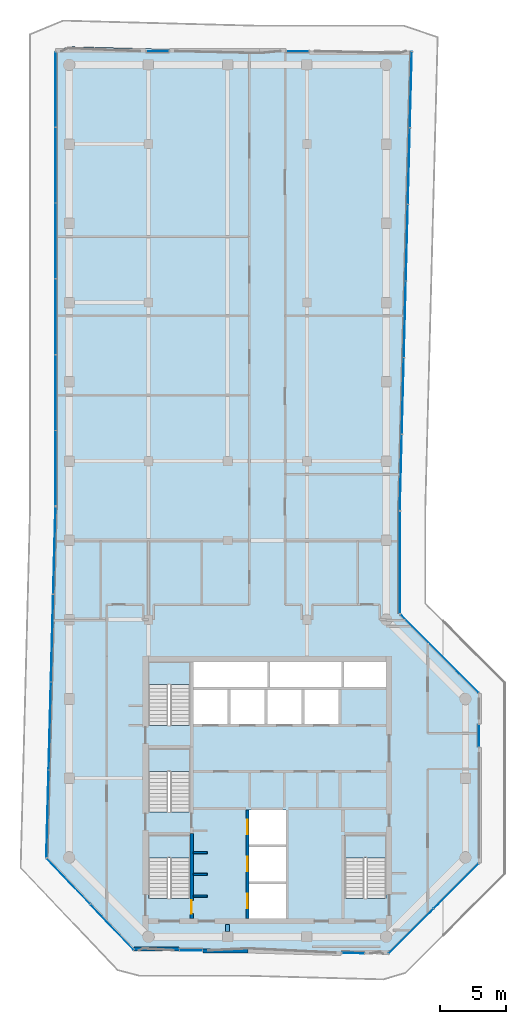
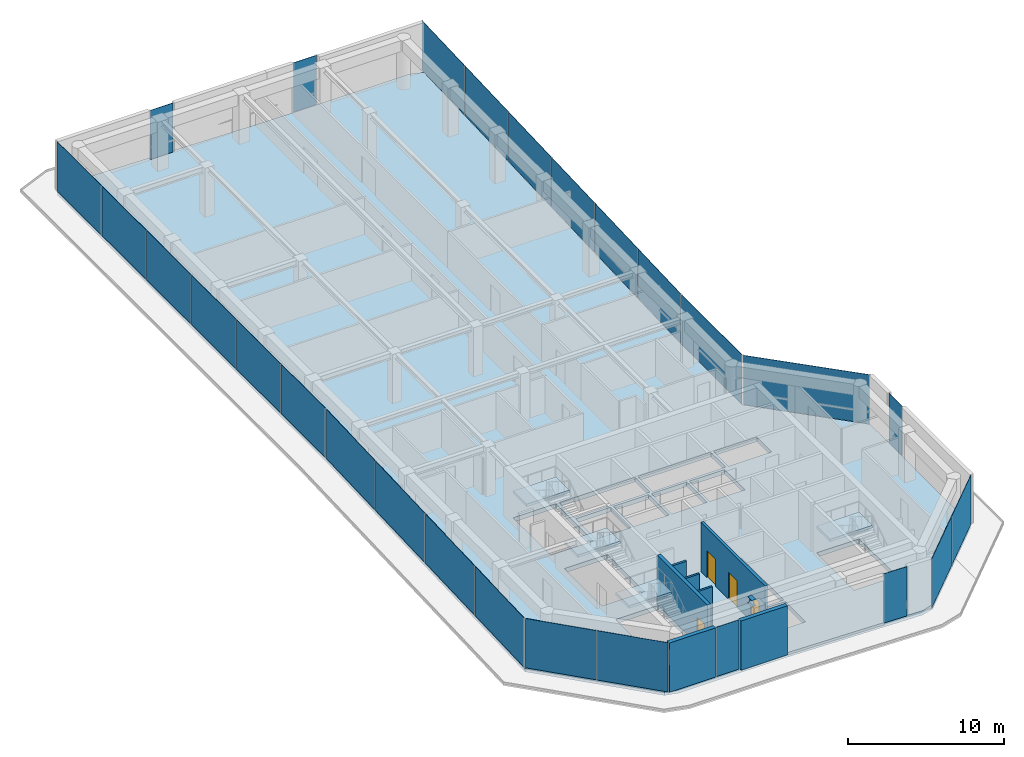
# One storey, part 14 of 19: 27 plates, 7 walls, 5 slabs, 4 doors, 1 beam, 4 openings, 16 elements without a shape of their own.
"""IFC4 building model written with IfcOpenShell, lengths in metres."""

from ifc_helpers import new_model, si_unit, direction, frame, frame_2d, origin, origin_2d, place, context, subcontext, project, spatial, polyline, rectangle, i_section, outline, extrude, material, layer, layer_set, material_profile, profile_set, type_object, element, fill, aggregate, save


model = new_model("IFC4")

# Units and contexts
model_context = context("Model", 3, precision=1e-05, world=origin(), true_north=direction((0.0, 1.0)))
body_context = subcontext(model_context, "Body", "Model", "MODEL_VIEW")
ifc_project = project(units=[si_unit("LENGTHUNIT", "METRE"), si_unit("AREAUNIT", "SQUARE_METRE"), si_unit("VOLUMEUNIT", "CUBIC_METRE"), si_unit("PLANEANGLEUNIT", "RADIAN"), si_unit("MASSUNIT", "GRAM", prefix="KILO")], contexts=[model_context])

# Site, building, storey
site_placement = place(None, origin())
site = spatial("IfcSite", under=ifc_project, at=site_placement, CompositionType="ELEMENT")
building_placement = place(site_placement, origin())
building = spatial("IfcBuilding", under=site, at=building_placement, Name="Welwitschia Terrace Campus", CompositionType="ELEMENT")
storey_placement = place(building_placement, frame((0.0, 0.0, 234.800048828125)))
storey = spatial("IfcBuildingStorey", under=building, at=storey_placement, Name="L52", CompositionType="ELEMENT", Elevation=234.800048828125)

# Beam
ifc_material_1 = material(Name="Steel S355", Category="steel")
ifc_material_profile = material_profile(ifc_material_1, i_section(OverallWidth=0.300048828125, OverallDepth=0.489990234375, WebThickness=0.011962890625, FlangeThickness=0.02294921875, FilletRadius=0.027099609375, at=origin_2d()))
ifc_profile_set = profile_set([ifc_material_profile], Name="Steel S355")
beam_type = type_object("IfcBeamType", Name="Primary beam HE 500 A", PredefinedType="BEAM", material=ifc_profile_set)
beam_placement = place(storey_placement, frame((12.0, 4.400390625, 3.60498046875), z_axis=(0.0, 1.0, 0.0), x_axis=(-1.0, 0.0, 0.0)))
element("IfcBeam", 1, at=beam_placement, inside=storey, type_object=beam_type, Name="Primary beam PB5", PredefinedType="BEAM", context=body_context, shape_type="SweptSolid", body=[
    extrude(i_section(OverallWidth=0.300048828125, OverallDepth=0.489990234375, WebThickness=0.011962890625, FlangeThickness=0.02294921875, FilletRadius=0.027099609375, at=origin_2d()), origin(), (0.0, 0.0, 1.0), 0.549560546875),
])

# Curtain wall, plates
ifc_material_2 = material(Name="Bronze anodised aluminium", Category="aluminium")
ifc_layer_1 = layer(ifc_material_2, 0.1201171875)
ifc_layer_set_1 = layer_set([ifc_layer_1], Name="Bronze anodised aluminium")
curtain_wall_type = type_object("IfcCurtainWallType", Name="Curtain wall CW2 tower 6000", PredefinedType="NOTDEFINED", material=ifc_layer_set_1)
curtain_wall_1_placement = place(storey_placement, origin())
curtain_wall_1 = element("IfcCurtainWall", 2, at=curtain_wall_1_placement, inside=storey, type_object=curtain_wall_type, Name="CW L52.0.0", PredefinedType="NOTDEFINED")
ifc_material_3 = material(Name="Tinted bronze-grey glass", Category="glass")
ifc_layer_2 = layer(ifc_material_3, 0.028076171875)
ifc_layer_set_2 = layer_set([ifc_layer_2], Name="Tinted bronze-grey glass")
plate_type = type_object("IfcPlateType", Name="Glass panel 28 tinted", PredefinedType="CURTAIN_PANEL", material=ifc_layer_set_2)
plate_1_placement = place(storey_placement, frame((-1.030029296875, 68.13525390625, 0.0), z_axis=(0.0, 0.0, 1.0), x_axis=(0.0, -1.0, 0.0)))
plate_1 = element("IfcPlate", 3, at=plate_1_placement, type_object=plate_type, Name="Panel L52.0.0.0", PredefinedType="CURTAIN_PANEL", context=body_context, shape_type="SweptSolid", body=[
    extrude(rectangle(XDim=5.649169921875, YDim=0.028076171875, at=origin_2d()), origin(), (0.0, 0.0, 1.0), 3.85009765625),
])
plate_2_placement = place(storey_placement, frame((-1.030029296875, 62.4111328125, 0.0), z_axis=(0.0, 0.0, 1.0), x_axis=(0.0, -1.0, 0.0)))
plate_2 = element("IfcPlate", 4, at=plate_2_placement, type_object=plate_type, Name="Panel L52.0.0.1", PredefinedType="CURTAIN_PANEL", context=body_context, shape_type="SweptSolid", body=[
    extrude(rectangle(XDim=5.67919921875, YDim=0.028076171875, at=origin_2d()), origin(), (0.0, 0.0, 1.0), 3.85009765625),
])
plate_3_placement = place(storey_placement, frame((-1.030029296875, 56.671875, 0.0), z_axis=(0.0, 0.0, 1.0), x_axis=(0.0, -1.0, 0.0)))
plate_3 = element("IfcPlate", 5, at=plate_3_placement, type_object=plate_type, Name="Panel L52.0.0.2", PredefinedType="CURTAIN_PANEL", context=body_context, shape_type="SweptSolid", body=[
    extrude(rectangle(XDim=5.67919921875, YDim=0.028076171875, at=origin_2d()), origin(), (0.0, 0.0, 1.0), 3.85009765625),
])
plate_4_placement = place(storey_placement, frame((-1.030029296875, 50.9326171875, 0.0), z_axis=(0.0, 0.0, 1.0), x_axis=(0.0, -1.0, 0.0)))
plate_4 = element("IfcPlate", 6, at=plate_4_placement, type_object=plate_type, Name="Panel L52.0.0.3", PredefinedType="CURTAIN_PANEL", context=body_context, shape_type="SweptSolid", body=[
    extrude(rectangle(XDim=5.67919921875, YDim=0.028076171875, at=origin_2d()), origin(), (0.0, 0.0, 1.0), 3.85009765625),
])
plate_5_placement = place(storey_placement, frame((-1.030029296875, 45.193359375, 0.0), z_axis=(0.0, 0.0, 1.0), x_axis=(0.0, -1.0, 0.0)))
plate_5 = element("IfcPlate", 7, at=plate_5_placement, type_object=plate_type, Name="Panel L52.0.0.4", PredefinedType="CURTAIN_PANEL", context=body_context, shape_type="SweptSolid", body=[
    extrude(rectangle(XDim=5.67919921875, YDim=0.028076171875, at=origin_2d()), origin(), (0.0, 0.0, 1.0), 3.85009765625),
])
plate_6_placement = place(storey_placement, frame((-1.030029296875, 39.46923828125, 0.0), z_axis=(0.0, 0.0, 1.0), x_axis=(0.0, -1.0, 0.0)))
plate_6 = element("IfcPlate", 8, at=plate_6_placement, type_object=plate_type, Name="Panel L52.0.0.5", PredefinedType="CURTAIN_PANEL", context=body_context, shape_type="SweptSolid", body=[
    extrude(rectangle(XDim=5.649169921875, YDim=0.028076171875, at=origin_2d()), origin(), (0.0, 0.0, 1.0), 3.85009765625),
])
aggregate(curtain_wall_1, [plate_1, plate_2, plate_3, plate_4, plate_5, plate_6])

curtain_wall_2_placement = place(storey_placement, origin())
curtain_wall_2 = element("IfcCurtainWall", 9, at=curtain_wall_2_placement, inside=storey, type_object=curtain_wall_type, Name="CW L52.1.0", PredefinedType="NOTDEFINED")
plate_7_placement = place(storey_placement, frame((-1.117431640625, 33.243408203125, 0.0), z_axis=(0.0, 0.0, 1.0), x_axis=(-0.026176948308, -0.999657324976, 0.0)))
plate_7 = element("IfcPlate", 10, at=plate_7_placement, type_object=plate_type, Name="Panel L52.1.0.0", PredefinedType="CURTAIN_PANEL", context=body_context, shape_type="SweptSolid", body=[
    extrude(rectangle(XDim=6.564697265625, YDim=0.028076171875, at=origin_2d()), origin(), (0.0, 0.0, 1.0), 3.85009765625),
])
plate_8_placement = place(storey_placement, frame((-1.291259765625, 26.60595703125, 0.0), z_axis=(0.0, 0.0, 1.0), x_axis=(-0.026176948308, -0.999657324976, 0.0)))
plate_8 = element("IfcPlate", 11, at=plate_8_placement, type_object=plate_type, Name="Panel L52.1.0.1", PredefinedType="CURTAIN_PANEL", context=body_context, shape_type="SweptSolid", body=[
    extrude(rectangle(XDim=6.594482421875, YDim=0.028076171875, at=origin_2d()), origin(), (0.0, 0.0, 1.0), 3.85009765625),
])
plate_9_placement = place(storey_placement, frame((-1.465576171875, 19.953857421875, 0.0), z_axis=(0.0, 0.0, 1.0), x_axis=(-0.026176948308, -0.999657324976, 0.0)))
plate_9 = element("IfcPlate", 12, at=plate_9_placement, type_object=plate_type, Name="Panel L52.1.0.2", PredefinedType="CURTAIN_PANEL", context=body_context, shape_type="SweptSolid", body=[
    extrude(rectangle(XDim=6.594482421875, YDim=0.028076171875, at=origin_2d()), origin(), (0.0, 0.0, 1.0), 3.85009765625),
])
plate_10_placement = place(storey_placement, frame((-1.639404296875, 13.31640625, 0.0), z_axis=(0.0, 0.0, 1.0), x_axis=(-0.026176948308, -0.999657324976, 0.0)))
plate_10 = element("IfcPlate", 13, at=plate_10_placement, type_object=plate_type, Name="Panel L52.1.0.3", PredefinedType="CURTAIN_PANEL", context=body_context, shape_type="SweptSolid", body=[
    extrude(rectangle(XDim=6.564697265625, YDim=0.028076171875, at=origin_2d()), origin(), (0.0, 0.0, 1.0), 3.85009765625),
])
aggregate(curtain_wall_2, [plate_7, plate_8, plate_9, plate_10])

curtain_wall_3_placement = place(storey_placement, origin())
curtain_wall_3 = element("IfcCurtainWall", 14, at=curtain_wall_3_placement, inside=storey, type_object=curtain_wall_type, Name="CW L52.2.0", PredefinedType="NOTDEFINED")
plate_11_placement = place(storey_placement, frame((-0.054443359375, 8.213134765625, 0.0), z_axis=(0.0, 0.0, 1.0), x_axis=(0.688354575694, -0.725374371012, 0.0)))
plate_11 = element("IfcPlate", 15, at=plate_11_placement, type_object=plate_type, Name="Panel L52.2.0.0", PredefinedType="CURTAIN_PANEL", context=body_context, shape_type="SweptSolid", body=[
    extrude(rectangle(XDim=4.73876953125, YDim=0.028076171875, at=origin_2d()), origin(), (0.0, 0.0, 1.0), 3.85009765625),
])
plate_12_placement = place(storey_placement, frame((3.248779296875, 4.732177734375, 0.0), z_axis=(0.0, 0.0, 1.0), x_axis=(0.688354575694, -0.725374371012, 0.0)))
plate_12 = element("IfcPlate", 16, at=plate_12_placement, type_object=plate_type, Name="Panel L52.2.0.1", PredefinedType="CURTAIN_PANEL", context=body_context, shape_type="SweptSolid", body=[
    extrude(rectangle(XDim=4.73876953125, YDim=0.028076171875, at=origin_2d()), origin(), (0.0, 0.0, 1.0), 3.85009765625),
])
aggregate(curtain_wall_3, [plate_11, plate_12])

# Curtain wall, plate
curtain_wall_4_placement = place(storey_placement, origin())
curtain_wall_4 = element("IfcCurtainWall", 17, at=curtain_wall_4_placement, inside=storey, type_object=curtain_wall_type, Name="CW L52.3.S0", PredefinedType="NOTDEFINED")
plate_13_placement = place(storey_placement, frame((9.228271484375, 2.969970703125, 0.0), z_axis=(0.0, 0.0, 1.0), x_axis=(1.0, 0.0, 0.0)))
plate_13 = element("IfcPlate", 18, at=plate_13_placement, type_object=plate_type, Name="Panel L52.3.S0.0", PredefinedType="CURTAIN_PANEL", context=body_context, shape_type="SweptSolid", body=[
    extrude(rectangle(XDim=1.679931640625, YDim=0.028076171875, at=origin_2d()), origin(), (0.0, 0.0, 1.0), 3.85009765625),
])
aggregate(curtain_wall_4, [plate_13])

curtain_wall_5_placement = place(storey_placement, origin())
curtain_wall_5 = element("IfcCurtainWall", 19, at=curtain_wall_5_placement, inside=storey, type_object=curtain_wall_type, Name="CW L52.4.S0", PredefinedType="NOTDEFINED")
plate_14_placement = place(storey_placement, frame((21.495361328125, 2.761474609375, 0.0), z_axis=(0.0, 0.0, 1.0), x_axis=(0.999657324976, -0.026176948308, 0.0)))
plate_14 = element("IfcPlate", 20, at=plate_14_placement, type_object=plate_type, Name="Panel L52.4.S0.0", PredefinedType="CURTAIN_PANEL", context=body_context, shape_type="SweptSolid", body=[
    extrude(rectangle(XDim=1.679931640625, YDim=0.028076171875, at=origin_2d()), origin(), (0.0, 0.0, 1.0), 3.85009765625),
])
aggregate(curtain_wall_5, [plate_14])

# Curtain wall, plates
curtain_wall_6_placement = place(storey_placement, origin())
curtain_wall_6 = element("IfcCurtainWall", 21, at=curtain_wall_6_placement, inside=storey, type_object=curtain_wall_type, Name="CW L52.5.0", PredefinedType="NOTDEFINED")
plate_15_placement = place(storey_placement, frame((25.879638671875, 4.423095703125, 0.0), z_axis=(0.0, 0.0, 1.0), x_axis=(0.707106781187, 0.707106781187, 0.0)))
plate_15 = element("IfcPlate", 22, at=plate_15_placement, type_object=plate_type, Name="Panel L52.5.0.0", PredefinedType="CURTAIN_PANEL", context=body_context, shape_type="SweptSolid", body=[
    extrude(rectangle(XDim=4.77587890625, YDim=0.028076171875, at=origin_2d()), origin(), (0.0, 0.0, 1.0), 3.85009765625),
])
plate_16_placement = place(storey_placement, frame((29.299072265625, 7.842529296875, 0.0), z_axis=(0.0, 0.0, 1.0), x_axis=(0.707106781187, 0.707106781187, 0.0)))
plate_16 = element("IfcPlate", 23, at=plate_16_placement, type_object=plate_type, Name="Panel L52.5.0.1", PredefinedType="CURTAIN_PANEL", context=body_context, shape_type="SweptSolid", body=[
    extrude(rectangle(XDim=4.77587890625, YDim=0.028076171875, at=origin_2d()), origin(), (0.0, 0.0, 1.0), 3.85009765625),
])
aggregate(curtain_wall_6, [plate_15, plate_16])

# Curtain wall, plate
curtain_wall_7_placement = place(storey_placement, origin())
curtain_wall_7 = element("IfcCurtainWall", 24, at=curtain_wall_7_placement, inside=storey, type_object=curtain_wall_type, Name="CW L52.6.S0", PredefinedType="NOTDEFINED")
plate_17_placement = place(storey_placement, frame((31.030029296875, 19.21337890625, 0.0), z_axis=(0.0, 0.0, 1.0), x_axis=(0.0, 1.0, 0.0)))
plate_17 = element("IfcPlate", 25, at=plate_17_placement, type_object=plate_type, Name="Panel L52.6.S0.0", PredefinedType="CURTAIN_PANEL", context=body_context, shape_type="SweptSolid", body=[
    extrude(rectangle(XDim=1.679931640625, YDim=0.028076171875, at=origin_2d()), origin(), (0.0, 0.0, 1.0), 3.85009765625),
])
aggregate(curtain_wall_7, [plate_17])

curtain_wall_8_placement = place(storey_placement, origin())
curtain_wall_8 = element("IfcCurtainWall", 26, at=curtain_wall_8_placement, inside=storey, type_object=curtain_wall_type, Name="CW L52.7.0", PredefinedType="NOTDEFINED")
plate_18_placement = place(storey_placement, frame((28.030029296875, 25.4267578125, 0.0), z_axis=(0.0, 0.0, 1.0), x_axis=(-0.707106781187, 0.707106781187, 0.0)))
plate_18 = element("IfcPlate", 27, at=plate_18_placement, type_object=plate_type, Name="Panel L52.7.0.0", PredefinedType="CURTAIN_PANEL", context=body_context, shape_type="SweptSolid", body=[
    extrude(rectangle(XDim=8.365234375, YDim=0.028076171875, at=origin_2d()), origin(), (0.0, 0.0, 1.0), 3.85009765625),
])
aggregate(curtain_wall_8, [plate_18])

curtain_wall_9_placement = place(storey_placement, origin())
curtain_wall_9 = element("IfcCurtainWall", 28, at=curtain_wall_9_placement, inside=storey, type_object=curtain_wall_type, Name="CW L52.8.0", PredefinedType="NOTDEFINED")
plate_19_placement = place(storey_placement, frame((25.030029296875, 32.3349609375, 0.0), z_axis=(0.0, 0.0, 1.0), x_axis=(0.0, 1.0, 0.0)))
plate_19 = element("IfcPlate", 29, at=plate_19_placement, type_object=plate_type, Name="Panel L52.8.0.0", PredefinedType="CURTAIN_PANEL", context=body_context, shape_type="SweptSolid", body=[
    extrude(rectangle(XDim=7.69677734375, YDim=0.028076171875, at=origin_2d()), origin(), (0.0, 0.0, 1.0), 3.85009765625),
])
aggregate(curtain_wall_9, [plate_19])

# Curtain wall, plates
curtain_wall_10_placement = place(storey_placement, origin())
curtain_wall_10 = element("IfcCurtainWall", 30, at=curtain_wall_10_placement, inside=storey, type_object=curtain_wall_type, Name="CW L52.9.0", PredefinedType="NOTDEFINED")
plate_20_placement = place(storey_placement, frame((25.106201171875, 39.1572265625, 0.0), z_axis=(0.0, 0.0, 1.0), x_axis=(0.026176948308, 0.999657324976, 0.0)))
plate_20 = element("IfcPlate", 31, at=plate_20_placement, type_object=plate_type, Name="Panel L52.9.0.0", PredefinedType="CURTAIN_PANEL", context=body_context, shape_type="SweptSolid", body=[
    extrude(rectangle(XDim=5.709716796875, YDim=0.028076171875, at=origin_2d()), origin(), (0.0, 0.0, 1.0), 3.85009765625),
])
plate_21_placement = place(storey_placement, frame((25.2578125, 44.93994140625, 0.0), z_axis=(0.0, 0.0, 1.0), x_axis=(0.026176948308, 0.999657324976, 0.0)))
plate_21 = element("IfcPlate", 32, at=plate_21_placement, type_object=plate_type, Name="Panel L52.9.0.1", PredefinedType="CURTAIN_PANEL", context=body_context, shape_type="SweptSolid", body=[
    extrude(rectangle(XDim=5.73974609375, YDim=0.028076171875, at=origin_2d()), origin(), (0.0, 0.0, 1.0), 3.85009765625),
])
plate_22_placement = place(storey_placement, frame((25.40966796875, 50.73779296875, 0.0), z_axis=(0.0, 0.0, 1.0), x_axis=(0.026176948308, 0.999657324976, 0.0)))
plate_22 = element("IfcPlate", 33, at=plate_22_placement, type_object=plate_type, Name="Panel L52.9.0.2", PredefinedType="CURTAIN_PANEL", context=body_context, shape_type="SweptSolid", body=[
    extrude(rectangle(XDim=5.73974609375, YDim=0.028076171875, at=origin_2d()), origin(), (0.0, 0.0, 1.0), 3.85009765625),
])
plate_23_placement = place(storey_placement, frame((25.561279296875, 56.53564453125, 0.0), z_axis=(0.0, 0.0, 1.0), x_axis=(0.026176948308, 0.999657324976, 0.0)))
plate_23 = element("IfcPlate", 34, at=plate_23_placement, type_object=plate_type, Name="Panel L52.9.0.3", PredefinedType="CURTAIN_PANEL", context=body_context, shape_type="SweptSolid", body=[
    extrude(rectangle(XDim=5.73974609375, YDim=0.028076171875, at=origin_2d()), origin(), (0.0, 0.0, 1.0), 3.85009765625),
])
plate_24_placement = place(storey_placement, frame((25.713134765625, 62.333251953125, 0.0), z_axis=(0.0, 0.0, 1.0), x_axis=(0.026176948308, 0.999657324976, 0.0)))
plate_24 = element("IfcPlate", 35, at=plate_24_placement, type_object=plate_type, Name="Panel L52.9.0.4", PredefinedType="CURTAIN_PANEL", context=body_context, shape_type="SweptSolid", body=[
    extrude(rectangle(XDim=5.73974609375, YDim=0.028076171875, at=origin_2d()), origin(), (0.0, 0.0, 1.0), 3.85009765625),
])
plate_25_placement = place(storey_placement, frame((25.864501953125, 68.1162109375, 0.0), z_axis=(0.0, 0.0, 1.0), x_axis=(0.026176948308, 0.999657324976, 0.0)))
plate_25 = element("IfcPlate", 36, at=plate_25_placement, type_object=plate_type, Name="Panel L52.9.0.5", PredefinedType="CURTAIN_PANEL", context=body_context, shape_type="SweptSolid", body=[
    extrude(rectangle(XDim=5.709716796875, YDim=0.028076171875, at=origin_2d()), origin(), (0.0, 0.0, 1.0), 3.85009765625),
])
aggregate(curtain_wall_10, [plate_20, plate_21, plate_22, plate_23, plate_24, plate_25])

# Curtain wall, plate
curtain_wall_11_placement = place(storey_placement, origin())
curtain_wall_11 = element("IfcCurtainWall", 37, at=curtain_wall_11_placement, inside=storey, type_object=curtain_wall_type, Name="CW L52.10.S0", PredefinedType="NOTDEFINED")
plate_26_placement = place(storey_placement, frame((17.30517578125, 71.030029296875, 0.0), z_axis=(0.0, 0.0, 1.0), x_axis=(-1.0, 0.0, 0.0)))
plate_26 = element("IfcPlate", 38, at=plate_26_placement, type_object=plate_type, Name="Panel L52.10.S0.0", PredefinedType="CURTAIN_PANEL", context=body_context, shape_type="SweptSolid", body=[
    extrude(rectangle(XDim=1.679931640625, YDim=0.028076171875, at=origin_2d()), origin(), (0.0, 0.0, 1.0), 3.85009765625),
])
aggregate(curtain_wall_11, [plate_26])

curtain_wall_12_placement = place(storey_placement, origin())
curtain_wall_12 = element("IfcCurtainWall", 39, at=curtain_wall_12_placement, inside=storey, type_object=curtain_wall_type, Name="CW L52.11.S0", PredefinedType="NOTDEFINED")
plate_27_placement = place(storey_placement, frame((6.6982421875, 71.02490234375, 0.0), z_axis=(0.0, 0.0, 1.0), x_axis=(-0.999999790341, -0.000647547214, 0.0)))
plate_27 = element("IfcPlate", 40, at=plate_27_placement, type_object=plate_type, Name="Panel L52.11.S0.0", PredefinedType="CURTAIN_PANEL", context=body_context, shape_type="SweptSolid", body=[
    extrude(rectangle(XDim=1.679931640625, YDim=0.028076171875, at=origin_2d()), origin(), (0.0, 0.0, 1.0), 3.85009765625),
])
aggregate(curtain_wall_12, [plate_27])

# Stair, slab
ifc_material_4 = material(Name="Concrete C40/50", Category="concrete")
stair_type = type_object("IfcStairType", Name="Stair 24R 175 W1500", PredefinedType="HALF_TURN_STAIR", material=ifc_material_4)
stair_1_placement = place(storey_placement, origin())
stair_1 = element("IfcStair", 41, at=stair_1_placement, inside=storey, type_object=stair_type, Name="L52 Exit stair S1", PredefinedType="HALF_TURN_STAIR")
ifc_material_5 = material(Name="Concrete C40/50", Category="concrete")
ifc_layer_3 = layer(ifc_material_5, 0.199951171875)
ifc_layer_set_3 = layer_set([ifc_layer_3], Name="Concrete C40/50")
slab_type_1 = type_object("IfcSlabType", Name="Stair landing RC", PredefinedType="LANDING", material=ifc_layer_set_3)
slab_1_placement = place(storey_placement, frame((0.0, 0.0, 1.89990234375)))
slab_1 = element("IfcSlab", 42, at=slab_1_placement, type_object=slab_type_1, Name="S1 landing 1", PredefinedType="LANDING", context=body_context, shape_type="SweptSolid", body=[
    extrude(outline(polyline([(9.14990234375, 9.97998046875), (9.14990234375, 11.699951171875), (6.0, 11.699951171875), (6.0, 9.97998046875), (9.14990234375, 9.97998046875)])), origin(), (0.0, 0.0, 1.0), 0.199951171875),
])
aggregate(stair_1, [slab_1])

stair_2_placement = place(storey_placement, origin())
stair_2 = element("IfcStair", 43, at=stair_2_placement, inside=storey, type_object=stair_type, Name="L52 Exit stair S3", PredefinedType="HALF_TURN_STAIR")
slab_2_placement = place(storey_placement, frame((0.0, 0.0, 1.89990234375)))
slab_2 = element("IfcSlab", 44, at=slab_2_placement, type_object=slab_type_1, Name="S3 landing 1", PredefinedType="LANDING", context=body_context, shape_type="SweptSolid", body=[
    extrude(outline(polyline([(9.14990234375, 16.530029296875), (9.14990234375, 18.25), (6.0, 18.25), (6.0, 16.530029296875), (9.14990234375, 16.530029296875)])), origin(), (0.0, 0.0, 1.0), 0.199951171875),
])
aggregate(stair_2, [slab_2])

stair_3_placement = place(storey_placement, origin())
stair_3 = element("IfcStair", 45, at=stair_3_placement, inside=storey, type_object=stair_type, Name="L52 Exit stair S4", PredefinedType="HALF_TURN_STAIR")
slab_3_placement = place(storey_placement, frame((0.0, 0.0, 1.89990234375)))
slab_3 = element("IfcSlab", 46, at=slab_3_placement, type_object=slab_type_1, Name="S4 landing 1", PredefinedType="LANDING", context=body_context, shape_type="SweptSolid", body=[
    extrude(outline(polyline([(9.14990234375, 23.080078125), (9.14990234375, 24.800048828125), (6.0, 24.800048828125), (6.0, 23.080078125), (9.14990234375, 23.080078125)])), origin(), (0.0, 0.0, 1.0), 0.199951171875),
])
aggregate(stair_3, [slab_3])

stair_4_placement = place(storey_placement, origin())
stair_4 = element("IfcStair", 47, at=stair_4_placement, inside=storey, type_object=stair_type, Name="L52 Exit stair S2", PredefinedType="HALF_TURN_STAIR")
slab_4_placement = place(storey_placement, frame((0.0, 0.0, 1.89990234375)))
slab_4 = element("IfcSlab", 48, at=slab_4_placement, type_object=slab_type_1, Name="S2 landing 1", PredefinedType="LANDING", context=body_context, shape_type="SweptSolid", body=[
    extrude(outline(polyline([(24.0, 9.97998046875), (24.0, 11.699951171875), (20.85009765625, 11.699951171875), (20.85009765625, 9.97998046875), (24.0, 9.97998046875)])), origin(), (0.0, 0.0, 1.0), 0.199951171875),
])
aggregate(stair_4, [slab_4])

# Slab
ifc_material_6 = material(Name="Concrete C40/50", Category="concrete")
ifc_layer_4 = layer(ifc_material_6, 0.35009765625)
ifc_layer_set_4 = layer_set([ifc_layer_4], Name="Concrete C40/50")
slab_type_2 = type_object("IfcSlabType", Name="Suspended floor slab 350", PredefinedType="FLOOR", material=ifc_layer_set_4)
slab_5_placement = place(storey_placement, frame((0.0, 0.0, -0.35009765625)))
element("IfcSlab", 49, at=slab_5_placement, inside=storey, type_object=slab_type_2, Name="Floor slab L52", PredefinedType="FLOOR", context=body_context, shape_type="SweptSolid", body=[
    extrude(outline(polyline([(-0.0888671875, 71.380126953125), (14.426025390625, 71.0), (25.0, 71.0), (25.90234375, 70.699462890625), (25.0, 36.24365234375), (25.0, 28.414306640625), (31.0, 22.414306640625), (31.0, 9.585693359375), (24.414306640625, 3.0), (23.53662109375, 2.738037109375), (13.535888671875, 3.0), (5.585693359375, 3.0), (4.714599609375, 3.23095703125), (-1.696533203125, 9.98681640625), (-1.0, 36.584228515625), (-1.0, 71.0), (-0.0888671875, 71.380126953125)]), holes=[polyline([(13.60009765625, 8.0), (13.60009765625, 5.39990234375), (16.39990234375, 5.39990234375), (16.39990234375, 8.0), (13.60009765625, 8.0)]), polyline([(9.14990234375, 11.699951171875), (6.0, 11.699951171875), (6.0, 6.902099609375), (9.14990234375, 6.902099609375), (9.14990234375, 11.699951171875)]), polyline([(9.14990234375, 18.25), (6.0, 18.25), (6.0, 13.451904296875), (9.14990234375, 13.451904296875), (9.14990234375, 18.25)]), polyline([(12.0, 22.699951171875), (9.39990234375, 22.699951171875), (9.39990234375, 20.10009765625), (12.0, 20.10009765625), (12.0, 22.699951171875)]), polyline([(14.800048828125, 22.699951171875), (12.199951171875, 22.699951171875), (12.199951171875, 20.10009765625), (14.800048828125, 20.10009765625), (14.800048828125, 22.699951171875)]), polyline([(9.14990234375, 24.800048828125), (6.0, 24.800048828125), (6.0, 20.001953125), (9.14990234375, 20.001953125), (9.14990234375, 24.800048828125)]), polyline([(15.0, 24.800048828125), (9.39990234375, 24.800048828125), (9.39990234375, 22.89990234375), (15.0, 22.89990234375), (15.0, 24.800048828125)]), polyline([(20.85009765625, 11.699951171875), (20.85009765625, 6.902099609375), (24.0, 6.902099609375), (24.0, 11.699951171875), (20.85009765625, 11.699951171875)]), polyline([(16.39990234375, 10.800048828125), (13.60009765625, 10.800048828125), (13.60009765625, 8.199951171875), (16.39990234375, 8.199951171875), (16.39990234375, 10.800048828125)]), polyline([(16.39990234375, 13.60009765625), (13.60009765625, 13.60009765625), (13.60009765625, 11.0), (16.39990234375, 11.0), (16.39990234375, 13.60009765625)]), polyline([(17.60009765625, 22.699951171875), (15.0, 22.699951171875), (15.0, 20.10009765625), (17.60009765625, 20.10009765625), (17.60009765625, 22.699951171875)]), polyline([(20.39990234375, 22.699951171875), (17.800048828125, 22.699951171875), (17.800048828125, 20.10009765625), (20.39990234375, 20.10009765625), (20.39990234375, 22.699951171875)]), polyline([(20.60009765625, 24.800048828125), (15.199951171875, 24.800048828125), (15.199951171875, 22.89990234375), (20.60009765625, 22.89990234375), (20.60009765625, 24.800048828125)]), polyline([(24.0, 24.800048828125), (20.800048828125, 24.800048828125), (20.800048828125, 22.89990234375), (24.0, 22.89990234375), (24.0, 24.800048828125)])]), origin(), (0.0, 0.0, 1.0), 0.35009765625),
])

# Walls
ifc_material_7 = material(Name="Concrete C50/60", Category="concrete")
ifc_layer_5 = layer(ifc_material_7, 0.14990234375)
ifc_layer_set_5 = layer_set([ifc_layer_5], Name="Concrete C50/60")
wall_type_1 = type_object("IfcWallType", Name="Core wall 150 Concrete C50/60", PredefinedType="SHEAR", material=ifc_layer_set_5)
for number, where, z_axis, x_axis, name in (
    (50, (9.39990234375, 7.074951171875, 0.0), (0.0, 0.0, 1.0), (1.0, 0.0, 0.0), "Core wall"),
    (51, (9.39990234375, 8.72509765625, 0.0), (0.0, 0.0, 1.0), (1.0, 0.0, 0.0), "Core wall"),
    (52, (9.39990234375, 10.375, 0.0), (0.0, 0.0, 1.0), (1.0, 0.0, 0.0), "Core wall"),
):
    element("IfcWall", number, at=place(storey_placement, frame(where, z_axis=z_axis, x_axis=x_axis)), inside=storey, type_object=wall_type_1, Name=name, PredefinedType="SHEAR", context=body_context, shape_type="SweptSolid", body=[
        extrude(rectangle(XDim=1.050048828125, YDim=0.14990234375, at=frame_2d((0.52490234375, 0.0))), origin(), (0.0, 0.0, 1.0), 3.849853515625),
    ])

# Wall, openings, doors
ifc_material_8 = material(Name="Concrete C50/60", Category="concrete")
ifc_layer_6 = layer(ifc_material_8, 0.199951171875)
ifc_layer_set_6 = layer_set([ifc_layer_6], Name="Concrete C50/60")
wall_type_2 = type_object("IfcWallType", Name="Core wall 200 Concrete C50/60", PredefinedType="SHEAR", material=ifc_layer_set_6)
wall_1_placement = place(storey_placement, frame((13.5, 5.39990234375, 0.0), z_axis=(0.0, 0.0, 1.0), x_axis=(0.0, 1.0, 0.0)))
wall_1 = element("IfcWall", 53, at=wall_1_placement, inside=storey, type_object=wall_type_2, Name="Core wall", PredefinedType="SHEAR", context=body_context, shape_type="SweptSolid", body=[
    extrude(rectangle(XDim=8.2001953125, YDim=0.199951171875, at=frame_2d((4.10009765625, 0.0))), origin(), (0.0, 0.0, 1.0), 3.849853515625),
])
opening_1_placement = place(wall_1_placement, frame((0.75, 0.0, 0.0)))
opening_1 = element("IfcOpeningElement", 54, at=opening_1_placement, cuts=wall_1, Name="Opening LD", PredefinedType="OPENING", context=body_context, shape_type="SweptSolid", body=[
    extrude(rectangle(XDim=1.10009765625, YDim=2.10009765625, at=frame_2d((0.550048828125, 1.050048828125))), frame((0.0, 0.10986328125, 0.0), z_axis=(0.0, -1.0, 0.0), x_axis=(1.0, 0.0, 0.0)), (0.0, 0.0, 1.0), 0.219970703125),
])
opening_2_placement = place(wall_1_placement, frame((3.550048828125, 0.0, 0.0)))
opening_2 = element("IfcOpeningElement", 55, at=opening_2_placement, cuts=wall_1, Name="Opening LD", PredefinedType="OPENING", context=body_context, shape_type="SweptSolid", body=[
    extrude(rectangle(XDim=1.10009765625, YDim=2.10009765625, at=frame_2d((0.550048828125, 1.050048828125))), frame((0.0, 0.10986328125, 0.0), z_axis=(0.0, -1.0, 0.0), x_axis=(1.0, 0.0, 0.0)), (0.0, 0.0, 1.0), 0.219970703125),
])
opening_3_placement = place(wall_1_placement, frame((6.35009765625, 0.0, 0.0)))
opening_3 = element("IfcOpeningElement", 56, at=opening_3_placement, cuts=wall_1, Name="Opening LD", PredefinedType="OPENING", context=body_context, shape_type="SweptSolid", body=[
    extrude(rectangle(XDim=1.10009765625, YDim=2.10009765625, at=frame_2d((0.550048828125, 1.050048828125))), frame((0.0, 0.10986328125, 0.0), z_axis=(0.0, -1.0, 0.0), x_axis=(1.0, 0.0, 0.0)), (0.0, 0.0, 1.0), 0.219970703125),
])
ifc_material_9 = material(Name="Stainless steel 304", Category="steel")
door_type_1 = type_object("IfcDoorType", Name="Lift landing door", OperationType="DOUBLE_DOOR_SLIDING", PredefinedType="DOOR", material=ifc_material_9)
door_1_placement = place(opening_1_placement, origin())
door_1 = element("IfcDoor", 57, at=door_1_placement, inside=storey, type_object=door_type_1, Name="Landing door FF1", OperationType="DOUBLE_DOOR_SLIDING", OverallHeight=2.10009765625, OverallWidth=1.10009765625, PredefinedType="DOOR", context=body_context, shape_type="SweptSolid", body=[
    extrude(rectangle(XDim=1.10009765625, YDim=2.10009765625, at=frame_2d((0.550048828125, 1.050048828125))), frame((0.0, 0.02490234375, 0.0), z_axis=(0.0, -1.0, 0.0), x_axis=(1.0, 0.0, 0.0)), (0.0, 0.0, 1.0), 0.050048828125),
])
fill(opening_1, door_1)
door_2_placement = place(opening_2_placement, origin())
door_2 = element("IfcDoor", 58, at=door_2_placement, inside=storey, type_object=door_type_1, Name="Landing door FF2", OperationType="DOUBLE_DOOR_SLIDING", OverallHeight=2.10009765625, OverallWidth=1.10009765625, PredefinedType="DOOR", context=body_context, shape_type="SweptSolid", body=[
    extrude(rectangle(XDim=1.10009765625, YDim=2.10009765625, at=frame_2d((0.550048828125, 1.050048828125))), frame((0.0, 0.02490234375, 0.0), z_axis=(0.0, -1.0, 0.0), x_axis=(1.0, 0.0, 0.0)), (0.0, 0.0, 1.0), 0.050048828125),
])
fill(opening_2, door_2)
door_3_placement = place(opening_3_placement, origin())
door_3 = element("IfcDoor", 59, at=door_3_placement, inside=storey, type_object=door_type_1, Name="Landing door SV1", OperationType="DOUBLE_DOOR_SLIDING", OverallHeight=2.10009765625, OverallWidth=1.10009765625, PredefinedType="DOOR", context=body_context, shape_type="SweptSolid", body=[
    extrude(rectangle(XDim=1.10009765625, YDim=2.10009765625, at=frame_2d((0.550048828125, 1.050048828125))), frame((0.0, 0.02490234375, 0.0), z_axis=(0.0, -1.0, 0.0), x_axis=(1.0, 0.0, 0.0)), (0.0, 0.0, 1.0), 0.050048828125),
])
fill(opening_3, door_3)

# Wall, opening, door
ifc_material_10 = material(Name="Concrete C50/60", Category="concrete")
ifc_layer_7 = layer(ifc_material_10, 0.25)
ifc_layer_set_7 = layer_set([ifc_layer_7], Name="Concrete C50/60")
wall_type_3 = type_object("IfcWallType", Name="Core wall 250 Concrete C50/60", PredefinedType="SHEAR", material=ifc_layer_set_7)
wall_2_placement = place(storey_placement, frame((9.27490234375, 11.824951171875, 0.0), z_axis=(0.0, 0.0, 1.0), x_axis=(0.0, -1.0, 0.0)))
wall_2 = element("IfcWall", 60, at=wall_2_placement, inside=storey, type_object=wall_type_3, Name="Core wall", PredefinedType="SHEAR", context=body_context, shape_type="SweptSolid", body=[
    extrude(rectangle(XDim=6.425048828125, YDim=0.25, at=frame_2d((3.21240234375, 0.0))), origin(), (0.0, 0.0, 1.0), 3.849853515625),
])
opening_4_placement = place(wall_2_placement, frame((5.074951171875, 0.0, 0.0)))
opening_4 = element("IfcOpeningElement", 61, at=opening_4_placement, cuts=wall_2, Name="Opening DS10", PredefinedType="OPENING", context=body_context, shape_type="SweptSolid", body=[
    extrude(rectangle(XDim=1.0, YDim=2.10009765625, at=frame_2d((0.5, 1.050048828125))), frame((0.0, 0.135009765625, 0.0), z_axis=(0.0, -1.0, 0.0), x_axis=(1.0, 0.0, 0.0)), (0.0, 0.0, 1.0), 0.27001953125),
])
ifc_material_11 = material(Name="Steel S275", Category="steel")
door_type_2 = type_object("IfcDoorType", Name="Core door DS10", OperationType="SINGLE_SWING_LEFT", PredefinedType="DOOR", material=ifc_material_11)
door_4_placement = place(opening_4_placement, origin())
door_4 = element("IfcDoor", 62, at=door_4_placement, inside=storey, type_object=door_type_2, Name="Door S1-FL", OperationType="SINGLE_SWING_RIGHT", OverallHeight=2.10009765625, OverallWidth=1.0, PredefinedType="DOOR", context=body_context, shape_type="SweptSolid", body=[
    extrude(rectangle(XDim=1.0, YDim=2.10009765625, at=frame_2d((0.5, 1.050048828125))), frame((0.0, 0.02490234375, 0.0), z_axis=(0.0, -1.0, 0.0), x_axis=(1.0, 0.0, 0.0)), (0.0, 0.0, 1.0), 0.050048828125),
])
fill(opening_4, door_4)

# Walls
ifc_material_12 = material(Name="Concrete C40/50", Category="concrete")
ifc_layer_8 = layer(ifc_material_12, 0.300048828125)
ifc_layer_set_8 = layer_set([ifc_layer_8], Name="Concrete C40/50")
wall_type_4 = type_object("IfcWallType", Name="Mass wall 300", PredefinedType="SOLIDWALL", material=ifc_layer_set_8)
wall_3_placement = place(storey_placement, frame((4.9208984375, 3.08251953125, 0.0), z_axis=(0.0, 0.0, 1.0), x_axis=(1.0, 0.0, 0.0)))
element("IfcWall", 63, at=wall_3_placement, inside=storey, type_object=wall_type_4, Name="Mass wall L52.3.0", PredefinedType="SOLIDWALL", context=body_context, shape_type="SweptSolid", body=[
    extrude(rectangle(XDim=3.407470703125, YDim=0.300048828125, at=frame_2d((1.70361328125, 0.0))), origin(), (0.0, 0.0, 1.0), 3.849853515625),
])
wall_4_placement = place(storey_placement, frame((10.12841796875, 2.919921875, 0.0), z_axis=(0.0, 0.0, 1.0), x_axis=(1.0, 0.0, 0.0)))
element("IfcWall", 64, at=wall_4_placement, inside=storey, type_object=wall_type_4, Name="Mass wall L52.3.1", PredefinedType="SOLIDWALL", context=body_context, shape_type="SweptSolid", body=[
    extrude(rectangle(XDim=3.406982421875, YDim=0.300048828125, at=frame_2d((1.70361328125, 0.0))), origin(), (0.0, 0.0, 1.0), 3.849853515625),
])

save(model, "model.ifc")
